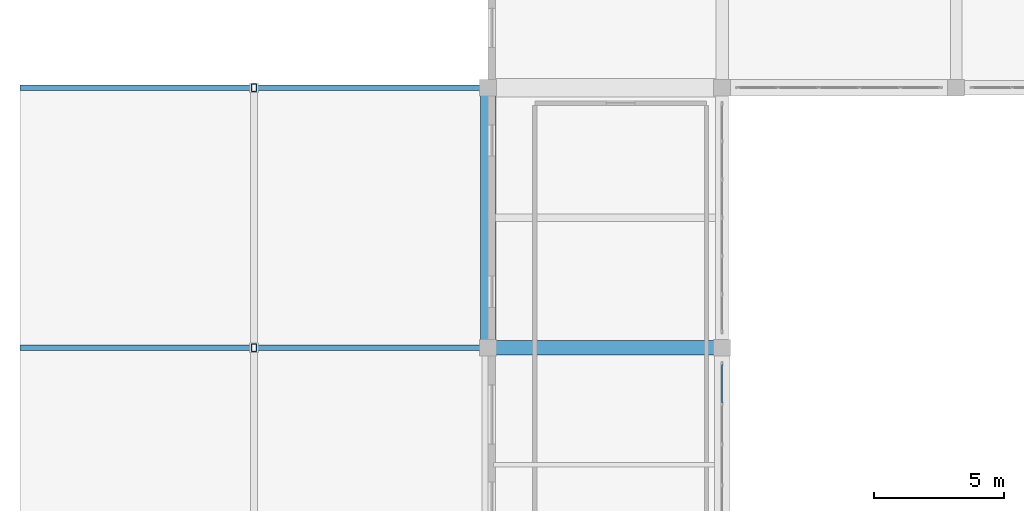
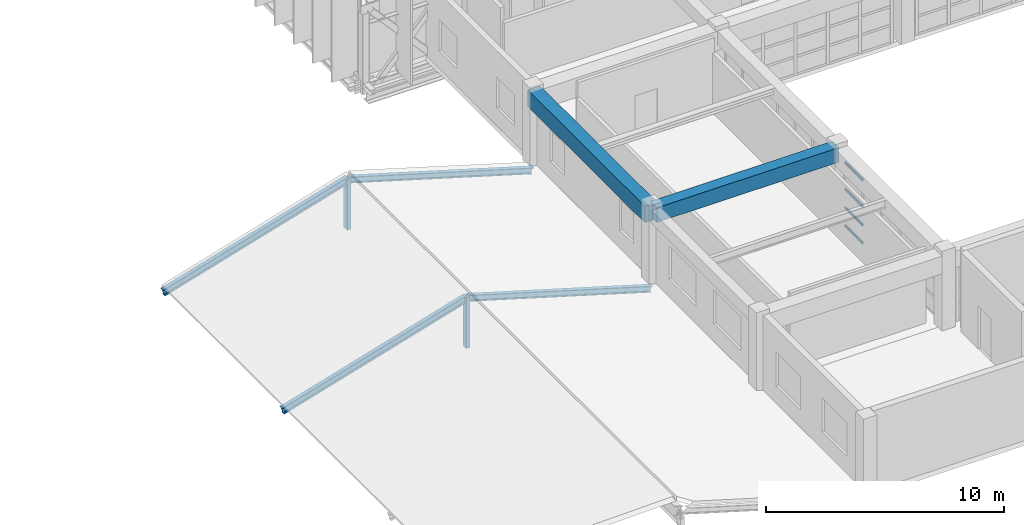
# One storey, part 19 of 130: 10 members, 2 beams, 1 element without a shape of its own.
"""IFC4 building model written with IfcOpenShell, lengths in metres."""

from ifc_helpers import new_model, si_unit, direction, frame, origin, origin_2d, place, context, subcontext, project, spatial, rectangle, hollow_rectangle, i_section, extrude, material, material_profile, profile_set, type_object, element, aggregate, save


model = new_model("IFC4")

# Units and contexts
model_context = context("Model", 3, precision=1e-05, world=origin(), true_north=direction((0.0, 1.0)))
body_context = subcontext(model_context, "Body", "Model", "MODEL_VIEW")
ifc_project = project(units=[si_unit("LENGTHUNIT", "METRE"), si_unit("AREAUNIT", "SQUARE_METRE"), si_unit("VOLUMEUNIT", "CUBIC_METRE"), si_unit("PLANEANGLEUNIT", "RADIAN"), si_unit("MASSUNIT", "GRAM", prefix="KILO")], contexts=[model_context])

# Site, building, storey
site_placement = place(None, origin())
site = spatial("IfcSite", under=ifc_project, at=site_placement, CompositionType="ELEMENT")
building_placement = place(site_placement, origin())
building = spatial("IfcBuilding", under=site, at=building_placement, Name="Miravela Opera House", CompositionType="ELEMENT")
storey_placement = place(building_placement, frame((0.0, 0.0, 9.52001953125)))
storey = spatial("IfcBuildingStorey", under=building, at=storey_placement, Name="L02", CompositionType="ELEMENT", Elevation=9.52001953125)

# Curtain wall, members
ifc_material_1 = material(Name="Anodised architectural bronze aluminium 6063-T6", Category="aluminium")
curtain_wall_type = type_object("IfcCurtainWallType", Name="ARC-CW-06", PredefinedType="NOTDEFINED", material=ifc_material_1)
curtain_wall_placement = place(storey_placement, origin())
curtain_wall = element("IfcCurtainWall", 1, at=curtain_wall_placement, inside=storey, type_object=curtain_wall_type, Name="Courtyard Arcade Curtain Wall CW-L02-144", PredefinedType="NOTDEFINED")
ifc_material_profile_1 = material_profile(ifc_material_1, hollow_rectangle(XDim=0.06005859375, YDim=0.114990234375, WallThickness=0.00390625, InnerFilletRadius=0.001953125, OuterFilletRadius=0.00390625, at=origin_2d()), Name="CWT-60X115")
ifc_profile_set_1 = profile_set([ifc_material_profile_1])
member_type_1 = type_object("IfcMemberType", Name="ARC-CWT-115", PredefinedType="USERDEFINED", material=ifc_profile_set_1)
member_1_placement = place(storey_placement, frame((27.0, 15.882080078125, 0.030029296875), z_axis=(0.0, 1.0, 0.0), x_axis=(-1.0, 0.0, 0.0)))
member_1 = element("IfcMember", 2, at=member_1_placement, type_object=member_type_1, Name="CW-06 transom 5.1", ObjectType="TRANSOM", PredefinedType="USERDEFINED", context=body_context, shape_type="SweptSolid", body=[
    extrude(hollow_rectangle(XDim=0.06005859375, YDim=0.114990234375, WallThickness=0.00390625, InnerFilletRadius=0.001953125, OuterFilletRadius=0.00390625, at=origin_2d()), origin(), (0.0, 0.0, 1.0), 1.47802734375),
])
member_2_placement = place(storey_placement, frame((27.0, 15.882080078125, 0.949951171875), z_axis=(0.0, 1.0, 0.0), x_axis=(-1.0, 0.0, 0.0)))
member_2 = element("IfcMember", 3, at=member_2_placement, type_object=member_type_1, Name="CW-06 transom 5.2", ObjectType="TRANSOM", PredefinedType="USERDEFINED", context=body_context, shape_type="SweptSolid", body=[
    extrude(hollow_rectangle(XDim=0.06005859375, YDim=0.114990234375, WallThickness=0.00390625, InnerFilletRadius=0.001953125, OuterFilletRadius=0.00390625, at=origin_2d()), origin(), (0.0, 0.0, 1.0), 1.47802734375),
])
member_3_placement = place(storey_placement, frame((27.0, 15.882080078125, 1.908203125), z_axis=(0.0, 1.0, 0.0), x_axis=(-1.0, 0.0, 0.0)))
member_3 = element("IfcMember", 4, at=member_3_placement, type_object=member_type_1, Name="CW-06 transom 5.3", ObjectType="TRANSOM", PredefinedType="USERDEFINED", context=body_context, shape_type="SweptSolid", body=[
    extrude(hollow_rectangle(XDim=0.06005859375, YDim=0.114990234375, WallThickness=0.00390625, InnerFilletRadius=0.001953125, OuterFilletRadius=0.00390625, at=origin_2d()), origin(), (0.0, 0.0, 1.0), 1.47802734375),
])
member_4_placement = place(storey_placement, frame((27.0, 15.882080078125, 3.260009765625), z_axis=(0.0, 1.0, 0.0), x_axis=(-1.0, 0.0, 0.0)))
member_4 = element("IfcMember", 5, at=member_4_placement, type_object=member_type_1, Name="CW-06 transom 5.4", ObjectType="TRANSOM", PredefinedType="USERDEFINED", context=body_context, shape_type="SweptSolid", body=[
    extrude(hollow_rectangle(XDim=0.06005859375, YDim=0.114990234375, WallThickness=0.00390625, InnerFilletRadius=0.001953125, OuterFilletRadius=0.00390625, at=origin_2d()), origin(), (0.0, 0.0, 1.0), 1.47802734375),
])
aggregate(curtain_wall, [member_1, member_2, member_3, member_4])

# Beams
ifc_material_2 = material(Name="Concrete C35/45", Category="concrete")
ifc_material_profile_2 = material_profile(ifc_material_2, rectangle(XDim=0.550048828125, YDim=0.75, at=origin_2d()), Name="RC-BM-550X750")
ifc_profile_set_2 = profile_set([ifc_material_profile_2])
beam_type_1 = type_object("IfcBeamType", Name="STR-BM-RC550X750", PredefinedType="BEAM", material=ifc_profile_set_2)
beam_1_placement = place(storey_placement, frame((18.080078125, 18.0, 3.465087890625), z_axis=(1.0, 0.0, 0.0), x_axis=(0.0, 1.0, 0.0)))
element("IfcBeam", 6, at=beam_1_placement, inside=storey, type_object=beam_type_1, Name="Floor Girder L02 3-4/C", PredefinedType="BEAM", context=body_context, shape_type="SweptSolid", body=[
    extrude(rectangle(XDim=0.550048828125, YDim=0.75, at=origin_2d()), origin(), (0.0, 0.0, 1.0), 8.83984375),
])
ifc_material_3 = material(Name="Concrete C40/50", Category="concrete")
ifc_material_profile_3 = material_profile(ifc_material_3, rectangle(XDim=0.60009765625, YDim=0.85009765625, at=origin_2d()), Name="RC-BM-600X850")
ifc_profile_set_3 = profile_set([ifc_material_profile_3])
beam_type_2 = type_object("IfcBeamType", Name="STR-BM-RC600X850", PredefinedType="BEAM", material=ifc_profile_set_3)
beam_2_placement = place(storey_placement, frame((18.0, 18.080078125, 3.4150390625), z_axis=(0.0, 1.0, 0.0), x_axis=(-1.0, 0.0, 0.0)))
element("IfcBeam", 7, at=beam_2_placement, inside=storey, type_object=beam_type_2, Name="Floor Girder L02 3/C-D", PredefinedType="BEAM", context=body_context, shape_type="SweptSolid", body=[
    extrude(rectangle(XDim=0.60009765625, YDim=0.85009765625, at=origin_2d()), origin(), (0.0, 0.0, 1.0), 9.83984375),
])

# Members
ifc_material_4 = material(Name="Hollow structural steel ASTM A500 Gr. C", Category="steel")
ifc_material_profile_4 = material_profile(ifc_material_4, hollow_rectangle(XDim=0.199951171875, YDim=0.300048828125, WallThickness=0.011962890625, InnerFilletRadius=0.011962890625, OuterFilletRadius=0.02392578125, at=origin_2d()), Name="HSS300X200X12")
ifc_profile_set_4 = profile_set([ifc_material_profile_4])
member_type_2 = type_object("IfcMemberType", Name="STR-MEM-POST-HSS300X200", PredefinedType="POST", material=ifc_profile_set_4)
for number, where, z_axis, x_axis, name in (
    (8, (9.0, 18.0, -0.25), (0.0, 0.0, 1.0), (1.0, 0.0, 0.0), "Roof Ridge Support Post ROOF-V5-SOUTH M2"),
    (9, (9.0, 28.0, -0.25), (0.0, 0.0, 1.0), (1.0, 0.0, 0.0), "Roof Gable King Post ROOF-V5-SOUTH N"),
):
    element("IfcMember", number, at=place(storey_placement, frame(where, z_axis=z_axis, x_axis=x_axis)), inside=storey, type_object=member_type_2, Name=name, PredefinedType="POST", context=body_context, shape_type="SweptSolid", body=[
        extrude(hollow_rectangle(XDim=0.199951171875, YDim=0.300048828125, WallThickness=0.011962890625, InnerFilletRadius=0.011962890625, OuterFilletRadius=0.02392578125, at=origin_2d()), origin(), (0.0, 0.0, 1.0), 2.570068359375),
    ])
ifc_material_5 = material(Name="Structural steel ASTM A992 Gr. 50", Category="steel")
ifc_material_profile_5 = material_profile(ifc_material_5, i_section(OverallWidth=0.2041015625, OverallDepth=0.35009765625, WebThickness=0.008544921875, FlangeThickness=0.01513671875, FilletRadius=0.013916015625, at=origin_2d()), Name="W360X72")
ifc_profile_set_5 = profile_set([ifc_material_profile_5])
member_type_3 = type_object("IfcMemberType", Name="STR-MEM-RAFTER-1", PredefinedType="RAFTER", material=ifc_profile_set_5)
for number, where, z_axis, x_axis, name in (
    (10, (0.050048828125, 18.0, -0.39990234375), (0.958562219619, 0.0, 0.284883258756), (0.0, 1.0, 0.0), "Pitched Roof Rafter ROOF-V5-SOUTH W2"),
    (11, (0.050048828125, 28.0, -0.39990234375), (0.958562219619, 0.0, 0.284883258756), (0.0, 1.0, 0.0), "Pitched Roof Rafter ROOF-V5-SOUTH W3"),
):
    element("IfcMember", number, at=place(storey_placement, frame(where, z_axis=z_axis, x_axis=x_axis)), inside=storey, type_object=member_type_3, Name=name, PredefinedType="RAFTER", context=body_context, shape_type="SweptSolid", body=[
        extrude(i_section(OverallWidth=0.2041015625, OverallDepth=0.35009765625, WebThickness=0.008544921875, FlangeThickness=0.01513671875, FilletRadius=0.013916015625, at=origin_2d()), origin(), (0.0, 0.0, 1.0), 9.3369140625),
    ])
ifc_material_profile_6 = material_profile(ifc_material_5, i_section(OverallWidth=0.202880859375, OverallDepth=0.302978515625, WebThickness=0.007568359375, FlangeThickness=0.01318359375, FilletRadius=0.012939453125, at=origin_2d()), Name="W310X60")
ifc_profile_set_6 = profile_set([ifc_material_profile_6])
member_type_4 = type_object("IfcMemberType", Name="STR-MEM-RAFTER-2", PredefinedType="RAFTER", material=ifc_profile_set_6)
for number, where, z_axis, x_axis, name in (
    (12, (17.949951171875, 18.0, -0.39990234375), (-0.958562219619, 0.0, 0.284883258756), (0.0, -1.0, 0.0), "Pitched Roof Rafter ROOF-V5-SOUTH E2"),
    (13, (17.949951171875, 28.0, -0.39990234375), (-0.958562219619, 0.0, 0.284883258756), (0.0, -1.0, 0.0), "Pitched Roof Rafter ROOF-V5-SOUTH E3"),
):
    element("IfcMember", number, at=place(storey_placement, frame(where, z_axis=z_axis, x_axis=x_axis)), inside=storey, type_object=member_type_4, Name=name, PredefinedType="RAFTER", context=body_context, shape_type="SweptSolid", body=[
        extrude(i_section(OverallWidth=0.202880859375, OverallDepth=0.302978515625, WebThickness=0.007568359375, FlangeThickness=0.01318359375, FilletRadius=0.012939453125, at=origin_2d()), origin(), (0.0, 0.0, 1.0), 9.3369140625),
    ])

save(model, "model.ifc")
